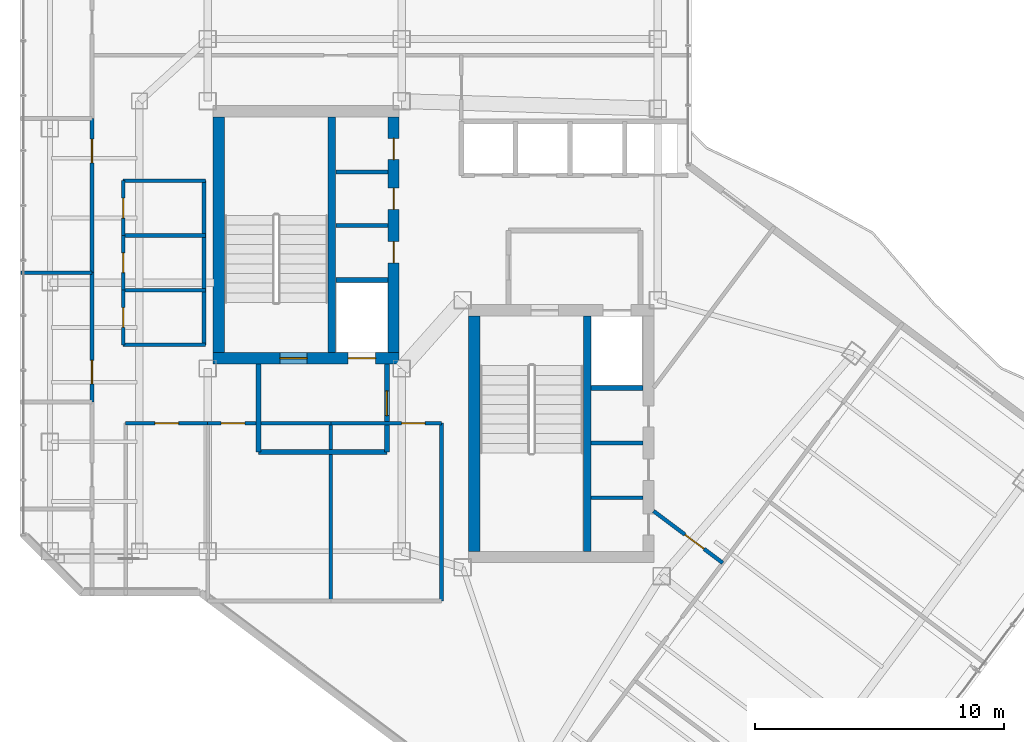
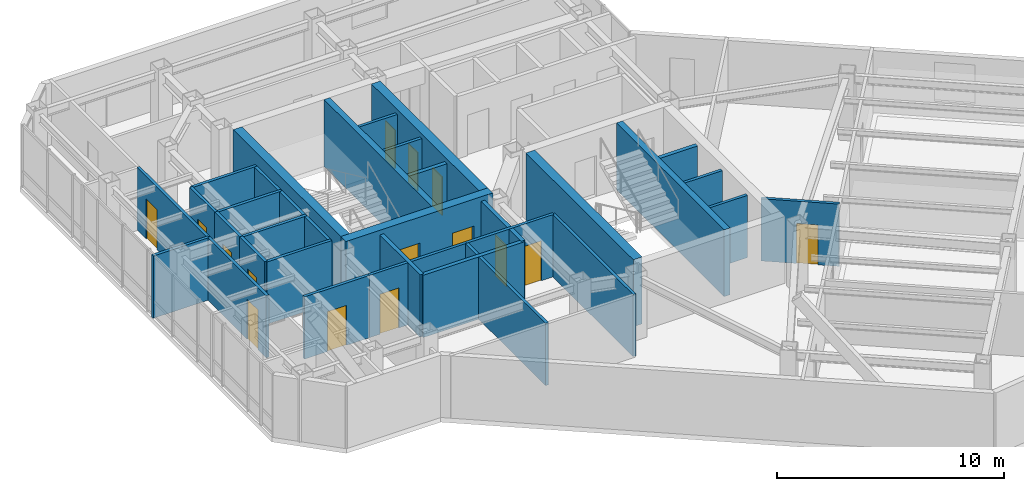
# One storey, part 20 of 26: 32 walls, 15 doors, 15 openings.
"""IFC4 building model written with IfcOpenShell, lengths in metres."""

from ifc_helpers import new_model, si_unit, direction, frame, frame_2d, origin, place, context, subcontext, project, spatial, rectangle, extrude, material, layer, layer_set, type_object, element, fill, save


model = new_model("IFC4")

# Units and contexts
model_context = context("Model", 3, precision=1e-05, world=origin(), true_north=direction((0.0, 1.0)))
body_context = subcontext(model_context, "Body", "Model", "MODEL_VIEW")
ifc_project = project(units=[si_unit("LENGTHUNIT", "METRE"), si_unit("AREAUNIT", "SQUARE_METRE"), si_unit("VOLUMEUNIT", "CUBIC_METRE"), si_unit("PLANEANGLEUNIT", "RADIAN"), si_unit("MASSUNIT", "GRAM", prefix="KILO")], contexts=[model_context])

# Site, building, storey
site_placement = place(None, origin())
site = spatial("IfcSite", under=ifc_project, at=site_placement, CompositionType="ELEMENT")
building_placement = place(site_placement, origin())
building = spatial("IfcBuilding", under=site, at=building_placement, Name="Hatsunagi Terrace Concourse", CompositionType="ELEMENT")
storey_placement = place(building_placement, frame((0.0, 0.0, 227.550048828125)))
storey = spatial("IfcBuildingStorey", under=building, at=storey_placement, Name="L60", CompositionType="ELEMENT", Elevation=227.550048828125)

# Wall, openings, doors
ifc_material_1 = material(Name="Concrete Fc42", Category="concrete")
ifc_layer_1 = layer(ifc_material_1, 0.449951171875)
ifc_layer_set_1 = layer_set([ifc_layer_1], Name="CoreShearWall_Fc42_450")
wall_type_1 = type_object("IfcWallType", Name="CoreShearWall_Fc42_450", PredefinedType="SHEAR", material=ifc_layer_set_1)
wall_1_placement = place(storey_placement, frame((25.77001953125, 32.965087890625, 0.0), z_axis=(0.0, 0.0, 1.0), x_axis=(1.0, 0.0, 0.0)))
wall_1 = element("IfcWall", 1, at=wall_1_placement, inside=storey, type_object=wall_type_1, Name="Core A Shear Wall S L60", PredefinedType="SHEAR", context=body_context, shape_type="SweptSolid", body=[
    extrude(rectangle(XDim=7.47998046875, YDim=0.449951171875, at=frame_2d((3.739990234375, 0.0))), origin(), (0.0, 0.0, 1.0), 3.599853515625),
])
opening_1_placement = place(wall_1_placement, frame((2.679931640625, 0.0, 0.0)))
opening_1 = element("IfcOpeningElement", 2, at=opening_1_placement, cuts=wall_1, Name="Opening DR-110S", PredefinedType="OPENING", context=body_context, shape_type="SweptSolid", body=[
    extrude(rectangle(XDim=1.10009765625, YDim=2.199951171875, at=frame_2d((0.550048828125, 1.10009765625))), frame((0.0, 0.23486328125, 0.0), z_axis=(0.0, -1.0, 0.0), x_axis=(1.0, 0.0, 0.0)), (0.0, 0.0, 1.0), 0.469970703125),
])
opening_2_placement = place(wall_1_placement, frame((5.429931640625, 0.0, 0.0)))
opening_2 = element("IfcOpeningElement", 3, at=opening_2_placement, cuts=wall_1, Name="Opening LD-01", PredefinedType="OPENING", context=body_context, shape_type="SweptSolid", body=[
    extrude(rectangle(XDim=1.10009765625, YDim=2.14990234375, at=frame_2d((0.550048828125, 1.074951171875))), frame((0.0, 0.23486328125, 0.0), z_axis=(0.0, -1.0, 0.0), x_axis=(1.0, 0.0, 0.0)), (0.0, 0.0, 1.0), 0.469970703125),
])
ifc_material_2 = material(Name="Stainless steel", Category="steel")
door_type_1 = type_object("IfcDoorType", Name="LiftLandingDoor_LD01", OperationType="SLIDING_TO_LEFT", PredefinedType="USERDEFINED", material=ifc_material_2)
door_1_placement = place(opening_2_placement, origin())
door_1 = element("IfcDoor", 4, at=door_1_placement, inside=storey, type_object=door_type_1, Name="Lift landing door FF-01 L60", ObjectType="SLIDING_LANDING_DOOR", OperationType="SLIDING_TO_LEFT", OverallHeight=2.14990234375, OverallWidth=1.10009765625, PredefinedType="USERDEFINED", context=body_context, shape_type="SweptSolid", body=[
    extrude(rectangle(XDim=1.10009765625, YDim=2.14990234375, at=frame_2d((0.550048828125, 1.074951171875))), frame((0.0, 0.02490234375, 0.0), z_axis=(0.0, -1.0, 0.0), x_axis=(1.0, 0.0, 0.0)), (0.0, 0.0, 1.0), 0.050048828125),
])
fill(opening_2, door_1)
ifc_material_3 = material(Name="Painted steel", Category="steel")
door_type_2 = type_object("IfcDoorType", Name="StairFireDoor_EI60_1100", OperationType="NOTDEFINED", PredefinedType="DOOR", material=ifc_material_3)
door_2_placement = place(opening_1_placement, origin())
door_2 = element("IfcDoor", 5, at=door_2_placement, inside=storey, type_object=door_type_2, Name="Stair ST-A Exit Door L60", OperationType="SINGLE_SWING_LEFT", OverallHeight=2.199951171875, OverallWidth=1.10009765625, PredefinedType="DOOR", context=body_context, shape_type="SweptSolid", body=[
    extrude(rectangle(XDim=1.10009765625, YDim=2.199951171875, at=frame_2d((0.550048828125, 1.10009765625))), frame((0.0, 0.02490234375, 0.0), z_axis=(0.0, -1.0, 0.0), x_axis=(1.0, 0.0, 0.0)), (0.0, 0.0, 1.0), 0.050048828125),
])
fill(opening_1, door_2)

# Wall
wall_2_placement = place(storey_placement, frame((25.9951171875, 33.18994140625, 0.0), z_axis=(0.0, 0.0, 1.0), x_axis=(0.0, 1.0, 0.0)))
element("IfcWall", 6, at=wall_2_placement, inside=storey, type_object=wall_type_1, Name="Core A Shear Wall W L60", PredefinedType="SHEAR", context=body_context, shape_type="SweptSolid", body=[
    extrude(rectangle(XDim=9.47998046875, YDim=0.449951171875, at=frame_2d((4.739990234375, 0.0))), origin(), (0.0, 0.0, 1.0), 3.599853515625),
])

# Wall, openings, doors
wall_3_placement = place(storey_placement, frame((33.02490234375, 33.18994140625, 0.0), z_axis=(0.0, 0.0, 1.0), x_axis=(0.0, 1.0, 0.0)))
wall_3 = element("IfcWall", 7, at=wall_3_placement, inside=storey, type_object=wall_type_1, Name="Core A Shear Wall E L60", PredefinedType="SHEAR", context=body_context, shape_type="SweptSolid", body=[
    extrude(rectangle(XDim=9.47998046875, YDim=0.449951171875, at=frame_2d((4.739990234375, 0.0))), origin(), (0.0, 0.0, 1.0), 3.599853515625),
])
opening_3_placement = place(wall_3_placement, frame((3.610107421875, 0.0, 0.0)))
opening_3 = element("IfcOpeningElement", 8, at=opening_3_placement, cuts=wall_3, Name="Opening DR-085", PredefinedType="OPENING", context=body_context, shape_type="SweptSolid", body=[
    extrude(rectangle(XDim=0.85009765625, YDim=2.080078125, at=frame_2d((0.425048828125, 1.0400390625))), frame((0.0, 0.23486328125, 0.0), z_axis=(0.0, -1.0, 0.0), x_axis=(1.0, 0.0, 0.0)), (0.0, 0.0, 1.0), 0.469970703125),
])
opening_4_placement = place(wall_3_placement, frame((5.760009765625, 0.0, 0.0)))
opening_4 = element("IfcOpeningElement", 9, at=opening_4_placement, cuts=wall_3, Name="Opening DR-085", PredefinedType="OPENING", context=body_context, shape_type="SweptSolid", body=[
    extrude(rectangle(XDim=0.85009765625, YDim=2.080078125, at=frame_2d((0.425048828125, 1.0400390625))), frame((0.0, 0.23486328125, 0.0), z_axis=(0.0, -1.0, 0.0), x_axis=(1.0, 0.0, 0.0)), (0.0, 0.0, 1.0), 0.469970703125),
])
opening_5_placement = place(wall_3_placement, frame((7.760009765625, 0.0, 0.0)))
opening_5 = element("IfcOpeningElement", 10, at=opening_5_placement, cuts=wall_3, Name="Opening DR-085", PredefinedType="OPENING", context=body_context, shape_type="SweptSolid", body=[
    extrude(rectangle(XDim=0.85009765625, YDim=2.080078125, at=frame_2d((0.425048828125, 1.0400390625))), frame((0.0, 0.23486328125, 0.0), z_axis=(0.0, -1.0, 0.0), x_axis=(1.0, 0.0, 0.0)), (0.0, 0.0, 1.0), 0.469970703125),
])
ifc_material_4 = material(Name="Painted steel", Category="steel")
door_type_3 = type_object("IfcDoorType", Name="RiserAccessDoor_EI60_850", OperationType="NOTDEFINED", PredefinedType="DOOR", material=ifc_material_4)
door_3_placement = place(opening_3_placement, origin())
door_3 = element("IfcDoor", 11, at=door_3_placement, inside=storey, type_object=door_type_3, Name="Core A Riser Door L60-1", OperationType="SINGLE_SWING_LEFT", OverallHeight=2.080078125, OverallWidth=0.85009765625, PredefinedType="DOOR", context=body_context, shape_type="SweptSolid", body=[
    extrude(rectangle(XDim=0.85009765625, YDim=2.080078125, at=frame_2d((0.425048828125, 1.0400390625))), frame((0.0, 0.02490234375, 0.0), z_axis=(0.0, -1.0, 0.0), x_axis=(1.0, 0.0, 0.0)), (0.0, 0.0, 1.0), 0.050048828125),
])
fill(opening_3, door_3)
door_4_placement = place(opening_4_placement, origin())
door_4 = element("IfcDoor", 12, at=door_4_placement, inside=storey, type_object=door_type_3, Name="Core A Riser Door L60-2", OperationType="SINGLE_SWING_LEFT", OverallHeight=2.080078125, OverallWidth=0.85009765625, PredefinedType="DOOR", context=body_context, shape_type="SweptSolid", body=[
    extrude(rectangle(XDim=0.85009765625, YDim=2.080078125, at=frame_2d((0.425048828125, 1.0400390625))), frame((0.0, 0.02490234375, 0.0), z_axis=(0.0, -1.0, 0.0), x_axis=(1.0, 0.0, 0.0)), (0.0, 0.0, 1.0), 0.050048828125),
])
fill(opening_4, door_4)
door_5_placement = place(opening_5_placement, origin())
door_5 = element("IfcDoor", 13, at=door_5_placement, inside=storey, type_object=door_type_3, Name="Core A Riser Door L60-3", OperationType="SINGLE_SWING_LEFT", OverallHeight=2.080078125, OverallWidth=0.85009765625, PredefinedType="DOOR", context=body_context, shape_type="SweptSolid", body=[
    extrude(rectangle(XDim=0.85009765625, YDim=2.080078125, at=frame_2d((0.425048828125, 1.0400390625))), frame((0.0, 0.02490234375, 0.0), z_axis=(0.0, -1.0, 0.0), x_axis=(1.0, 0.0, 0.0)), (0.0, 0.0, 1.0), 0.050048828125),
])
fill(opening_5, door_5)

# Walls
wall_4_placement = place(storey_placement, frame((36.264892578125, 25.18994140625, 0.0), z_axis=(0.0, 0.0, 1.0), x_axis=(0.0, 1.0, 0.0)))
element("IfcWall", 14, at=wall_4_placement, inside=storey, type_object=wall_type_1, Name="Core B Shear Wall W L60", PredefinedType="SHEAR", context=body_context, shape_type="SweptSolid", body=[
    extrude(rectangle(XDim=9.47998046875, YDim=0.449951171875, at=frame_2d((4.739990234375, 0.0))), origin(), (0.0, 0.0, 1.0), 3.599853515625),
])
ifc_material_5 = material(Name="Concrete Fc48", Category="concrete")
ifc_layer_2 = layer(ifc_material_5, 0.300048828125)
ifc_layer_set_2 = layer_set([ifc_layer_2], Name="CoreStairDivider_Fc48_300")
wall_type_2 = type_object("IfcWallType", Name="CoreStairDivider_Fc48_300", PredefinedType="SHEAR", material=ifc_layer_set_2)
for number, where, z_axis, x_axis, name in (
    (15, (30.5400390625, 33.18994140625, 0.0), (0.0, 0.0, 1.0), (0.0, 1.0, 0.0), "Core A Shear Wall D L60"),
    (16, (40.81005859375, 25.18994140625, 0.0), (0.0, 0.0, 1.0), (0.0, 1.0, 0.0), "Core B Shear Wall D L60"),
):
    element("IfcWall", number, at=place(storey_placement, frame(where, z_axis=z_axis, x_axis=x_axis)), inside=storey, type_object=wall_type_2, Name=name, PredefinedType="SHEAR", context=body_context, shape_type="SweptSolid", body=[
        extrude(rectangle(XDim=9.47998046875, YDim=0.300048828125, at=frame_2d((4.739990234375, 0.0))), origin(), (0.0, 0.0, 1.0), 3.599853515625),
    ])
ifc_material_6 = material(Name="Acoustic mineral board", Category="gypsum")
ifc_layer_3 = layer(ifc_material_6, 0.14990234375)
ifc_layer_set_3 = layer_set([ifc_layer_3], Name="PartitionWall_EI60_150")
wall_type_3 = type_object("IfcWallType", Name="PartitionWall_EI60_150", PredefinedType="PARTITIONING", material=ifc_layer_set_3)
for number, where, z_axis, x_axis, name in (
    (17, (30.699951171875, 38.300048828125, 0.0), (0.0, 0.0, 1.0), (1.0, 0.0, 0.0), "Interior Partition IW-L60-002"),
    (18, (30.699951171875, 40.449951171875, 0.0), (0.0, 0.0, 1.0), (1.0, 0.0, 0.0), "Interior Partition IW-L60-003"),
):
    element("IfcWall", number, at=place(storey_placement, frame(where, z_axis=z_axis, x_axis=x_axis)), inside=storey, type_object=wall_type_3, Name=name, PredefinedType="PARTITIONING", context=body_context, shape_type="SweptSolid", body=[
        extrude(rectangle(XDim=2.10009765625, YDim=0.14990234375, at=frame_2d((1.050048828125, 0.0))), origin(), (0.0, 0.0, 1.0), 3.349853515625),
    ])
for number, where, z_axis, x_axis, name in (
    (19, (40.969970703125, 27.35009765625, 0.0), (0.0, 0.0, 1.0), (1.0, 0.0, 0.0), "Interior Partition IW-L60-005"),
    (20, (40.969970703125, 29.550048828125, 0.0), (0.0, 0.0, 1.0), (1.0, 0.0, 0.0), "Interior Partition IW-L60-006"),
):
    element("IfcWall", number, at=place(storey_placement, frame(where, z_axis=z_axis, x_axis=x_axis)), inside=storey, type_object=wall_type_3, Name=name, PredefinedType="PARTITIONING", context=body_context, shape_type="SweptSolid", body=[
        extrude(rectangle(XDim=2.080078125, YDim=0.14990234375, at=frame_2d((1.0400390625, 0.0))), origin(), (0.0, 0.0, 1.0), 3.349853515625),
    ])
for number, where, z_axis, x_axis, name in (
    (21, (22.14990234375, 33.5, 0.0), (0.0, 0.0, 1.0), (1.0, 0.0, 0.0), "Interior Partition IW-L60-019"),
    (22, (22.14990234375, 40.10009765625, 0.0), (0.0, 0.0, 1.0), (1.0, 0.0, 0.0), "Interior Partition IW-L60-020"),
):
    element("IfcWall", number, at=place(storey_placement, frame(where, z_axis=z_axis, x_axis=x_axis)), inside=storey, type_object=wall_type_3, Name=name, PredefinedType="PARTITIONING", context=body_context, shape_type="SweptSolid", body=[
        extrude(rectangle(XDim=3.300048828125, YDim=0.14990234375, at=frame_2d((1.64990234375, 0.0))), origin(), (0.0, 0.0, 1.0), 3.349853515625),
    ])
wall_5_placement = place(storey_placement, frame((25.39990234375, 33.5, 0.0), z_axis=(0.0, 0.0, 1.0), x_axis=(0.0, 1.0, 0.0)))
element("IfcWall", 23, at=wall_5_placement, inside=storey, type_object=wall_type_3, Name="Interior Partition IW-L60-021", PredefinedType="PARTITIONING", context=body_context, shape_type="SweptSolid", body=[
    extrude(rectangle(XDim=6.60009765625, YDim=0.14990234375, at=frame_2d((3.300048828125, 0.0))), origin(), (0.0, 0.0, 1.0), 3.349853515625),
])
for number, where, z_axis, x_axis, name in (
    (24, (22.14990234375, 35.699951171875, 0.0), (0.0, 0.0, 1.0), (1.0, 0.0, 0.0), "Interior Partition IW-L60-022"),
    (25, (22.14990234375, 37.89990234375, 0.0), (0.0, 0.0, 1.0), (1.0, 0.0, 0.0), "Interior Partition IW-L60-023"),
):
    element("IfcWall", number, at=place(storey_placement, frame(where, z_axis=z_axis, x_axis=x_axis)), inside=storey, type_object=wall_type_3, Name=name, PredefinedType="PARTITIONING", context=body_context, shape_type="SweptSolid", body=[
        extrude(rectangle(XDim=3.300048828125, YDim=0.14990234375, at=frame_2d((1.64990234375, 0.0))), origin(), (0.0, 0.0, 1.0), 3.349853515625),
    ])

# Wall, opening, door
wall_6_placement = place(storey_placement, frame((22.14990234375, 33.5, 0.0), z_axis=(0.0, 0.0, 1.0), x_axis=(0.0, 1.0, 0.0)))
wall_6 = element("IfcWall", 26, at=wall_6_placement, inside=storey, type_object=wall_type_3, Name="Interior Partition IW-L60-024", PredefinedType="PARTITIONING", context=body_context, shape_type="SweptSolid", body=[
    extrude(rectangle(XDim=2.199951171875, YDim=0.14990234375, at=frame_2d((1.10009765625, 0.0))), origin(), (0.0, 0.0, 1.0), 3.349853515625),
])
opening_6_placement = place(wall_6_placement, frame((0.699951171875, 0.0, 0.0)))
opening_6 = element("IfcOpeningElement", 27, at=opening_6_placement, cuts=wall_6, Name="Opening DR-080", PredefinedType="OPENING", context=body_context, shape_type="SweptSolid", body=[
    extrude(rectangle(XDim=0.800048828125, YDim=2.06005859375, at=frame_2d((0.39990234375, 1.030029296875))), frame((0.0, 0.0849609375, 0.0), z_axis=(0.0, -1.0, 0.0), x_axis=(1.0, 0.0, 0.0)), (0.0, 0.0, 1.0), 0.169921875),
])
ifc_material_7 = material(Name="Hardwood timber", Category="wood")
door_type_4 = type_object("IfcDoorType", Name="BathroomDoor_800", OperationType="NOTDEFINED", PredefinedType="DOOR", material=ifc_material_7)
door_6_placement = place(opening_6_placement, origin())
door_6 = element("IfcDoor", 28, at=door_6_placement, inside=storey, type_object=door_type_4, Name="Accessible WC Door L60", OperationType="SINGLE_SWING_RIGHT", OverallHeight=2.06005859375, OverallWidth=0.800048828125, PredefinedType="DOOR", context=body_context, shape_type="SweptSolid", body=[
    extrude(rectangle(XDim=0.800048828125, YDim=2.06005859375, at=frame_2d((0.39990234375, 1.030029296875))), frame((0.0, 0.02490234375, 0.0), z_axis=(0.0, -1.0, 0.0), x_axis=(1.0, 0.0, 0.0)), (0.0, 0.0, 1.0), 0.050048828125),
])
fill(opening_6, door_6)

wall_7_placement = place(storey_placement, frame((22.14990234375, 35.699951171875, 0.0), z_axis=(0.0, 0.0, 1.0), x_axis=(0.0, 1.0, 0.0)))
wall_7 = element("IfcWall", 29, at=wall_7_placement, inside=storey, type_object=wall_type_3, Name="Interior Partition IW-L60-025", PredefinedType="PARTITIONING", context=body_context, shape_type="SweptSolid", body=[
    extrude(rectangle(XDim=2.199951171875, YDim=0.14990234375, at=frame_2d((1.10009765625, 0.0))), origin(), (0.0, 0.0, 1.0), 3.349853515625),
])
opening_7_placement = place(wall_7_placement, frame((0.699951171875, 0.0, 0.0)))
opening_7 = element("IfcOpeningElement", 30, at=opening_7_placement, cuts=wall_7, Name="Opening DR-080", PredefinedType="OPENING", context=body_context, shape_type="SweptSolid", body=[
    extrude(rectangle(XDim=0.800048828125, YDim=2.06005859375, at=frame_2d((0.39990234375, 1.030029296875))), frame((0.0, 0.0849609375, 0.0), z_axis=(0.0, -1.0, 0.0), x_axis=(1.0, 0.0, 0.0)), (0.0, 0.0, 1.0), 0.169921875),
])
door_7_placement = place(opening_7_placement, origin())
door_7 = element("IfcDoor", 31, at=door_7_placement, inside=storey, type_object=door_type_4, Name="Female Restroom Door L60", OperationType="SINGLE_SWING_RIGHT", OverallHeight=2.06005859375, OverallWidth=0.800048828125, PredefinedType="DOOR", context=body_context, shape_type="SweptSolid", body=[
    extrude(rectangle(XDim=0.800048828125, YDim=2.06005859375, at=frame_2d((0.39990234375, 1.030029296875))), frame((0.0, 0.02490234375, 0.0), z_axis=(0.0, -1.0, 0.0), x_axis=(1.0, 0.0, 0.0)), (0.0, 0.0, 1.0), 0.050048828125),
])
fill(opening_7, door_7)

wall_8_placement = place(storey_placement, frame((22.14990234375, 37.89990234375, 0.0), z_axis=(0.0, 0.0, 1.0), x_axis=(0.0, 1.0, 0.0)))
wall_8 = element("IfcWall", 32, at=wall_8_placement, inside=storey, type_object=wall_type_3, Name="Interior Partition IW-L60-026", PredefinedType="PARTITIONING", context=body_context, shape_type="SweptSolid", body=[
    extrude(rectangle(XDim=2.2001953125, YDim=0.14990234375, at=frame_2d((1.10009765625, 0.0))), origin(), (0.0, 0.0, 1.0), 3.349853515625),
])
opening_8_placement = place(wall_8_placement, frame((0.699951171875, 0.0, 0.0)))
opening_8 = element("IfcOpeningElement", 33, at=opening_8_placement, cuts=wall_8, Name="Opening DR-080", PredefinedType="OPENING", context=body_context, shape_type="SweptSolid", body=[
    extrude(rectangle(XDim=0.800048828125, YDim=2.06005859375, at=frame_2d((0.39990234375, 1.030029296875))), frame((0.0, 0.0849609375, 0.0), z_axis=(0.0, -1.0, 0.0), x_axis=(1.0, 0.0, 0.0)), (0.0, 0.0, 1.0), 0.169921875),
])
door_8_placement = place(opening_8_placement, origin())
door_8 = element("IfcDoor", 34, at=door_8_placement, inside=storey, type_object=door_type_4, Name="Male Restroom Door L60", OperationType="SINGLE_SWING_RIGHT", OverallHeight=2.06005859375, OverallWidth=0.800048828125, PredefinedType="DOOR", context=body_context, shape_type="SweptSolid", body=[
    extrude(rectangle(XDim=0.800048828125, YDim=2.06005859375, at=frame_2d((0.39990234375, 1.030029296875))), frame((0.0, 0.02490234375, 0.0), z_axis=(0.0, -1.0, 0.0), x_axis=(1.0, 0.0, 0.0)), (0.0, 0.0, 1.0), 0.050048828125),
])
fill(opening_8, door_8)

wall_9_placement = place(storey_placement, frame((25.550048828125, 30.35009765625, 0.0), z_axis=(0.0, 0.0, 1.0), x_axis=(1.0, 0.0, 0.0)))
wall_9 = element("IfcWall", 35, at=wall_9_placement, inside=storey, type_object=wall_type_3, Name="Interior Partition IW-L60-028", PredefinedType="PARTITIONING", context=body_context, shape_type="SweptSolid", body=[
    extrude(rectangle(XDim=4.949951171875, YDim=0.14990234375, at=frame_2d((2.47509765625, 0.0))), origin(), (0.0, 0.0, 1.0), 3.349853515625),
])
opening_9_placement = place(wall_9_placement, frame((0.5419921875, 0.0, 0.0)))
opening_9 = element("IfcOpeningElement", 36, at=opening_9_placement, cuts=wall_9, Name="Opening DR-095", PredefinedType="OPENING", context=body_context, shape_type="SweptSolid", body=[
    extrude(rectangle(XDim=0.949951171875, YDim=2.14990234375, at=frame_2d((0.47509765625, 1.074951171875))), frame((0.0, 0.0849609375, 0.0), z_axis=(0.0, -1.0, 0.0), x_axis=(1.0, 0.0, 0.0)), (0.0, 0.0, 1.0), 0.169921875),
])
ifc_material_8 = material(Name="Hardwood timber", Category="wood")
door_type_5 = type_object("IfcDoorType", Name="InteriorSuiteDoor_EI30_950", OperationType="NOTDEFINED", PredefinedType="DOOR", material=ifc_material_8)
door_9_placement = place(opening_9_placement, origin())
door_9 = element("IfcDoor", 37, at=door_9_placement, inside=storey, type_object=door_type_5, Name="Design Studio L60-RECL1 Door", OperationType="SINGLE_SWING_RIGHT", OverallHeight=2.14990234375, OverallWidth=0.949951171875, PredefinedType="DOOR", context=body_context, shape_type="SweptSolid", body=[
    extrude(rectangle(XDim=0.949951171875, YDim=2.14990234375, at=frame_2d((0.47509765625, 1.074951171875))), frame((0.0, 0.02490234375, 0.0), z_axis=(0.0, -1.0, 0.0), x_axis=(1.0, 0.0, 0.0)), (0.0, 0.0, 1.0), 0.050048828125),
])
fill(opening_9, door_9)

# Wall
wall_10_placement = place(storey_placement, frame((30.5, 23.199951171875, 0.0), z_axis=(0.0, 0.0, 1.0), x_axis=(0.0, 1.0, 0.0)))
element("IfcWall", 38, at=wall_10_placement, inside=storey, type_object=wall_type_3, Name="Interior Partition IW-L60-030", PredefinedType="PARTITIONING", context=body_context, shape_type="SweptSolid", body=[
    extrude(rectangle(XDim=7.150146484375, YDim=0.14990234375, at=frame_2d((3.5751953125, 0.0))), origin(), (0.0, 0.0, 1.0), 3.349853515625),
])

# Wall, opening, door
wall_11_placement = place(storey_placement, frame((30.5, 30.35009765625, 0.0), z_axis=(0.0, 0.0, 1.0), x_axis=(1.0, 0.0, 0.0)))
wall_11 = element("IfcWall", 39, at=wall_11_placement, inside=storey, type_object=wall_type_3, Name="Interior Partition IW-L60-032", PredefinedType="PARTITIONING", context=body_context, shape_type="SweptSolid", body=[
    extrude(rectangle(XDim=4.449951171875, YDim=0.14990234375, at=frame_2d((2.22509765625, 0.0))), origin(), (0.0, 0.0, 1.0), 3.349853515625),
])
opening_10_placement = place(wall_11_placement, frame((2.845947265625, 0.0, 0.0)))
opening_10 = element("IfcOpeningElement", 40, at=opening_10_placement, cuts=wall_11, Name="Opening DR-095", PredefinedType="OPENING", context=body_context, shape_type="SweptSolid", body=[
    extrude(rectangle(XDim=0.949951171875, YDim=2.14990234375, at=frame_2d((0.47509765625, 1.074951171875))), frame((0.0, 0.0849609375, 0.0), z_axis=(0.0, -1.0, 0.0), x_axis=(1.0, 0.0, 0.0)), (0.0, 0.0, 1.0), 0.169921875),
])
door_10_placement = place(opening_10_placement, origin())
door_10 = element("IfcDoor", 41, at=door_10_placement, inside=storey, type_object=door_type_5, Name="Executive Briefing Room L60-RECL2 Door", OperationType="SINGLE_SWING_RIGHT", OverallHeight=2.14990234375, OverallWidth=0.949951171875, PredefinedType="DOOR", context=body_context, shape_type="SweptSolid", body=[
    extrude(rectangle(XDim=0.949951171875, YDim=2.14990234375, at=frame_2d((0.47509765625, 1.074951171875))), frame((0.0, 0.02490234375, 0.0), z_axis=(0.0, -1.0, 0.0), x_axis=(1.0, 0.0, 0.0)), (0.0, 0.0, 1.0), 0.050048828125),
])
fill(opening_10, door_10)

# Walls
wall_12_placement = place(storey_placement, frame((34.949951171875, 23.199951171875, 0.0), z_axis=(0.0, 0.0, 1.0), x_axis=(0.0, 1.0, 0.0)))
element("IfcWall", 42, at=wall_12_placement, inside=storey, type_object=wall_type_3, Name="Interior Partition IW-L60-033", PredefinedType="PARTITIONING", context=body_context, shape_type="SweptSolid", body=[
    extrude(rectangle(XDim=7.150146484375, YDim=0.14990234375, at=frame_2d((3.5751953125, 0.0))), origin(), (0.0, 0.0, 1.0), 3.349853515625),
])
wall_13_placement = place(storey_placement, frame((18.0400390625, 36.39990234375, 0.0), z_axis=(0.0, 0.0, 1.0), x_axis=(1.0, 0.0, 0.0)))
element("IfcWall", 43, at=wall_13_placement, inside=storey, type_object=wall_type_3, Name="Interior Partition IW-L60-038", PredefinedType="PARTITIONING", context=body_context, shape_type="SweptSolid", body=[
    extrude(rectangle(XDim=2.85986328125, YDim=0.14990234375, at=frame_2d((1.429931640625, 0.0))), origin(), (0.0, 0.0, 1.0), 3.349853515625),
])

# Wall, opening, door
wall_14_placement = place(storey_placement, frame((20.89990234375, 31.199951171875, 0.0), z_axis=(0.0, 0.0, 1.0), x_axis=(0.0, 1.0, 0.0)))
wall_14 = element("IfcWall", 44, at=wall_14_placement, inside=storey, type_object=wall_type_3, Name="Interior Partition IW-L60-039", PredefinedType="PARTITIONING", context=body_context, shape_type="SweptSolid", body=[
    extrude(rectangle(XDim=5.199951171875, YDim=0.14990234375, at=frame_2d((2.60009765625, 0.0))), origin(), (0.0, 0.0, 1.0), 3.349853515625),
])
opening_11_placement = place(wall_14_placement, frame((0.72900390625, 0.0, 0.0)))
opening_11 = element("IfcOpeningElement", 45, at=opening_11_placement, cuts=wall_14, Name="Opening DR-095", PredefinedType="OPENING", context=body_context, shape_type="SweptSolid", body=[
    extrude(rectangle(XDim=0.949951171875, YDim=2.14990234375, at=frame_2d((0.47509765625, 1.074951171875))), frame((0.0, 0.0849609375, 0.0), z_axis=(0.0, -1.0, 0.0), x_axis=(1.0, 0.0, 0.0)), (0.0, 0.0, 1.0), 0.169921875),
])
door_11_placement = place(opening_11_placement, origin())
door_11 = element("IfcDoor", 46, at=door_11_placement, inside=storey, type_object=door_type_5, Name="Executive Office L60-OW3 Door", OperationType="SINGLE_SWING_RIGHT", OverallHeight=2.14990234375, OverallWidth=0.949951171875, PredefinedType="DOOR", context=body_context, shape_type="SweptSolid", body=[
    extrude(rectangle(XDim=0.949951171875, YDim=2.14990234375, at=frame_2d((0.47509765625, 1.074951171875))), frame((0.0, 0.02490234375, 0.0), z_axis=(0.0, -1.0, 0.0), x_axis=(1.0, 0.0, 0.0)), (0.0, 0.0, 1.0), 0.050048828125),
])
fill(opening_11, door_11)

wall_15_placement = place(storey_placement, frame((20.89990234375, 36.39990234375, 0.0), z_axis=(0.0, 0.0, 1.0), x_axis=(0.0, 1.0, 0.0)))
wall_15 = element("IfcWall", 47, at=wall_15_placement, inside=storey, type_object=wall_type_3, Name="Interior Partition IW-L60-041", PredefinedType="PARTITIONING", context=body_context, shape_type="SweptSolid", body=[
    extrude(rectangle(XDim=6.2001953125, YDim=0.14990234375, at=frame_2d((3.10009765625, 0.0))), origin(), (0.0, 0.0, 1.0), 3.349853515625),
])
opening_12_placement = place(wall_15_placement, frame((4.4208984375, 0.0, 0.0)))
opening_12 = element("IfcOpeningElement", 48, at=opening_12_placement, cuts=wall_15, Name="Opening DR-095", PredefinedType="OPENING", context=body_context, shape_type="SweptSolid", body=[
    extrude(rectangle(XDim=0.949951171875, YDim=2.14990234375, at=frame_2d((0.47509765625, 1.074951171875))), frame((0.0, 0.0849609375, 0.0), z_axis=(0.0, -1.0, 0.0), x_axis=(1.0, 0.0, 0.0)), (0.0, 0.0, 1.0), 0.169921875),
])
door_12_placement = place(opening_12_placement, origin())
door_12 = element("IfcDoor", 49, at=door_12_placement, inside=storey, type_object=door_type_5, Name="Meeting Room L60-OW4 Door", OperationType="SINGLE_SWING_RIGHT", OverallHeight=2.14990234375, OverallWidth=0.949951171875, PredefinedType="DOOR", context=body_context, shape_type="SweptSolid", body=[
    extrude(rectangle(XDim=0.949951171875, YDim=2.14990234375, at=frame_2d((0.47509765625, 1.074951171875))), frame((0.0, 0.02490234375, 0.0), z_axis=(0.0, -1.0, 0.0), x_axis=(1.0, 0.0, 0.0)), (0.0, 0.0, 1.0), 0.050048828125),
])
fill(opening_12, door_12)

wall_16_placement = place(storey_placement, frame((43.47998046875, 26.81494140625, 0.0), z_axis=(0.0, 0.0, 1.0), x_axis=(0.800008430676, -0.599988758934, 0.0)))
wall_16 = element("IfcWall", 50, at=wall_16_placement, inside=storey, type_object=wall_type_3, Name="Interior Partition IW-L60-049", PredefinedType="PARTITIONING", context=body_context, shape_type="SweptSolid", body=[
    extrude(rectangle(XDim=3.47509765625, YDim=0.14990234375, at=frame_2d((1.737548828125, 0.0))), origin(), (0.0, 0.0, 1.0), 3.349853515625),
])
opening_13_placement = place(wall_16_placement, frame((1.580078125, 0.0, 0.0)))
opening_13 = element("IfcOpeningElement", 51, at=opening_13_placement, cuts=wall_16, Name="Opening DR-095", PredefinedType="OPENING", context=body_context, shape_type="SweptSolid", body=[
    extrude(rectangle(XDim=0.949951171875, YDim=2.14990234375, at=frame_2d((0.47509765625, 1.074951171875))), frame((0.0, 0.0849609375, 0.0), z_axis=(0.0, -1.0, 0.0), x_axis=(1.0, 0.0, 0.0)), (0.0, 0.0, 1.0), 0.169921875),
])
door_13_placement = place(opening_13_placement, origin())
door_13 = element("IfcDoor", 52, at=door_13_placement, inside=storey, type_object=door_type_5, Name="Collaboration Lounge L60-OSEN1 Door", OperationType="SINGLE_SWING_LEFT", OverallHeight=2.14990234375, OverallWidth=0.949951171875, PredefinedType="DOOR", context=body_context, shape_type="SweptSolid", body=[
    extrude(rectangle(XDim=0.949951171875, YDim=2.14990234375, at=frame_2d((0.47509765625, 1.074951171875))), frame((0.0, 0.02490234375, 0.0), z_axis=(0.0, -1.0, 0.0), x_axis=(1.0, 0.0, 0.0)), (0.0, 0.0, 1.0), 0.050048828125),
])
fill(opening_13, door_13)

wall_17_placement = place(storey_placement, frame((22.25, 30.35009765625, 0.0), z_axis=(0.0, 0.0, 1.0), x_axis=(1.0, 0.0, 0.0)))
wall_17 = element("IfcWall", 53, at=wall_17_placement, inside=storey, type_object=wall_type_3, Name="Interior Partition IW-L60-051", PredefinedType="PARTITIONING", context=body_context, shape_type="SweptSolid", body=[
    extrude(rectangle(XDim=3.300048828125, YDim=0.14990234375, at=frame_2d((1.64990234375, 0.0))), origin(), (0.0, 0.0, 1.0), 3.349853515625),
])
opening_14_placement = place(wall_17_placement, frame((1.175048828125, 0.0, 0.0)))
opening_14 = element("IfcOpeningElement", 54, at=opening_14_placement, cuts=wall_17, Name="Opening DR-095", PredefinedType="OPENING", context=body_context, shape_type="SweptSolid", body=[
    extrude(rectangle(XDim=0.949951171875, YDim=2.14990234375, at=frame_2d((0.47509765625, 1.074951171875))), frame((0.0, 0.0849609375, 0.0), z_axis=(0.0, -1.0, 0.0), x_axis=(1.0, 0.0, 0.0)), (0.0, 0.0, 1.0), 0.169921875),
])
door_14_placement = place(opening_14_placement, origin())
door_14 = element("IfcDoor", 55, at=door_14_placement, inside=storey, type_object=door_type_5, Name="Private Salon L60-OCSW Door", OperationType="SINGLE_SWING_RIGHT", OverallHeight=2.14990234375, OverallWidth=0.949951171875, PredefinedType="DOOR", context=body_context, shape_type="SweptSolid", body=[
    extrude(rectangle(XDim=0.949951171875, YDim=2.14990234375, at=frame_2d((0.47509765625, 1.074951171875))), frame((0.0, 0.02490234375, 0.0), z_axis=(0.0, -1.0, 0.0), x_axis=(1.0, 0.0, 0.0)), (0.0, 0.0, 1.0), 0.050048828125),
])
fill(opening_14, door_14)

# Walls
ifc_material_9 = material(Name="Acoustic mineral board", Category="gypsum")
ifc_layer_4 = layer(ifc_material_9, 0.199951171875)
ifc_layer_set_4 = layer_set([ifc_layer_4], Name="ShaftWall_EI120_200")
wall_type_4 = type_object("IfcWallType", Name="ShaftWall_EI120_200", PredefinedType="STANDARD", material=ifc_layer_set_4)
wall_18_placement = place(storey_placement, frame((30.699951171875, 36.10009765625, 0.0), z_axis=(0.0, 0.0, 1.0), x_axis=(1.0, 0.0, 0.0)))
element("IfcWall", 56, at=wall_18_placement, inside=storey, type_object=wall_type_4, Name="Interior Partition IW-L60-001", PredefinedType="STANDARD", context=body_context, shape_type="SweptSolid", body=[
    extrude(rectangle(XDim=2.10009765625, YDim=0.199951171875, at=frame_2d((1.050048828125, 0.0))), origin(), (0.0, 0.0, 1.0), 3.349853515625),
])
wall_19_placement = place(storey_placement, frame((40.969970703125, 31.760009765625, 0.0), z_axis=(0.0, 0.0, 1.0), x_axis=(1.0, 0.0, 0.0)))
element("IfcWall", 57, at=wall_19_placement, inside=storey, type_object=wall_type_4, Name="Interior Partition IW-L60-004", PredefinedType="STANDARD", context=body_context, shape_type="SweptSolid", body=[
    extrude(rectangle(XDim=2.080078125, YDim=0.199951171875, at=frame_2d((1.0400390625, 0.0))), origin(), (0.0, 0.0, 1.0), 3.349853515625),
])
wall_20_placement = place(storey_placement, frame((27.60009765625, 29.199951171875, 0.0), z_axis=(0.0, 0.0, 1.0), x_axis=(1.0, 0.0, 0.0)))
element("IfcWall", 58, at=wall_20_placement, inside=storey, type_object=wall_type_4, Name="Interior Partition IW-L60-007", PredefinedType="STANDARD", context=body_context, shape_type="SweptSolid", body=[
    extrude(rectangle(XDim=5.14990234375, YDim=0.199951171875, at=frame_2d((2.574951171875, 0.0))), origin(), (0.0, 0.0, 1.0), 3.349853515625),
])
wall_21_placement = place(storey_placement, frame((27.60009765625, 29.199951171875, 0.0), z_axis=(0.0, 0.0, 1.0), x_axis=(0.0, 1.0, 0.0)))
element("IfcWall", 59, at=wall_21_placement, inside=storey, type_object=wall_type_4, Name="Interior Partition IW-L60-008", PredefinedType="STANDARD", context=body_context, shape_type="SweptSolid", body=[
    extrude(rectangle(XDim=3.5400390625, YDim=0.199951171875, at=frame_2d((1.77001953125, 0.0))), origin(), (0.0, 0.0, 1.0), 3.349853515625),
])

# Wall, opening, door
wall_22_placement = place(storey_placement, frame((32.75, 29.199951171875, 0.0), z_axis=(0.0, 0.0, 1.0), x_axis=(0.0, 1.0, 0.0)))
wall_22 = element("IfcWall", 60, at=wall_22_placement, inside=storey, type_object=wall_type_4, Name="Interior Partition IW-L60-009", PredefinedType="STANDARD", context=body_context, shape_type="SweptSolid", body=[
    extrude(rectangle(XDim=3.5400390625, YDim=0.199951171875, at=frame_2d((1.77001953125, 0.0))), origin(), (0.0, 0.0, 1.0), 3.349853515625),
])
opening_15_placement = place(wall_22_placement, frame((1.449951171875, 0.0, 0.0)))
opening_15 = element("IfcOpeningElement", 61, at=opening_15_placement, cuts=wall_22, Name="Opening DR-100F", PredefinedType="OPENING", context=body_context, shape_type="SweptSolid", body=[
    extrude(rectangle(XDim=1.0, YDim=2.199951171875, at=frame_2d((0.5, 1.10009765625))), frame((0.0, 0.10986328125, 0.0), z_axis=(0.0, -1.0, 0.0), x_axis=(1.0, 0.0, 0.0)), (0.0, 0.0, 1.0), 0.219970703125),
])
ifc_material_10 = material(Name="Painted steel", Category="steel")
door_type_6 = type_object("IfcDoorType", Name="FireDoor_EI60_1000", OperationType="NOTDEFINED", PredefinedType="DOOR", material=ifc_material_10)
door_15_placement = place(opening_15_placement, origin())
door_15 = element("IfcDoor", 62, at=door_15_placement, inside=storey, type_object=door_type_6, Name="Firefighting Lobby A Door L60", OperationType="SINGLE_SWING_RIGHT", OverallHeight=2.199951171875, OverallWidth=1.0, PredefinedType="DOOR", context=body_context, shape_type="SweptSolid", body=[
    extrude(rectangle(XDim=1.0, YDim=2.199951171875, at=frame_2d((0.5, 1.10009765625))), frame((0.0, 0.02490234375, 0.0), z_axis=(0.0, -1.0, 0.0), x_axis=(1.0, 0.0, 0.0)), (0.0, 0.0, 1.0), 0.050048828125),
])
fill(opening_15, door_15)

save(model, "model.ifc")
